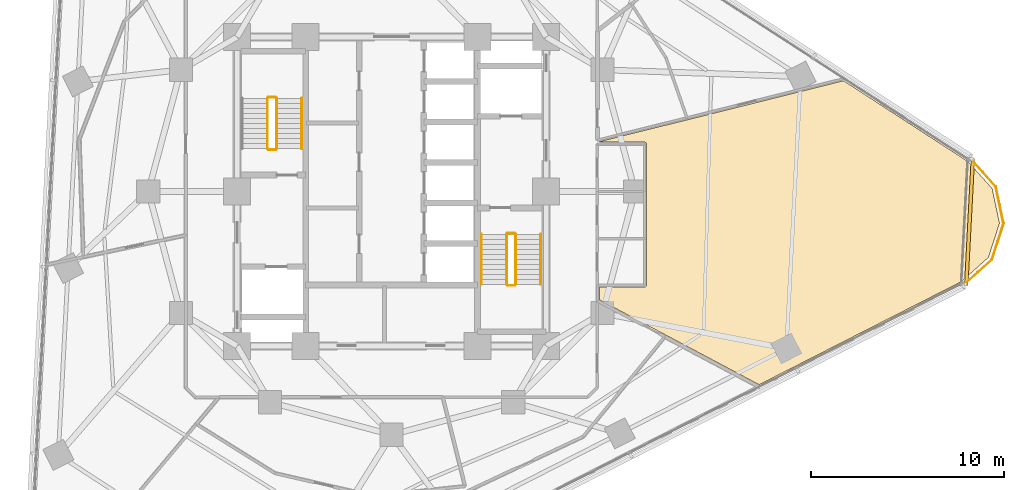
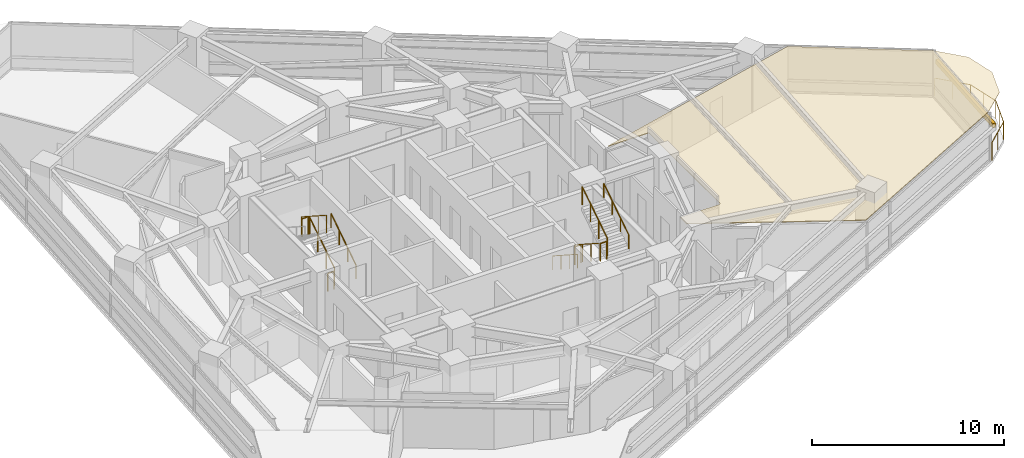
# One storey, part 13 of 14: 12 railings, 1 covering, 1 shading device.
"""IFC4 building model written with IfcOpenShell, lengths in metres."""

from ifc_helpers import new_model, si_unit, direction, frame, origin, origin_2d, place, context, subcontext, project, spatial, polyline, rectangle, circle, outline, extrude, material, layer, layer_set, type_object, element, save


model = new_model("IFC4")

# Units and contexts
model_context = context("Model", 3, precision=1e-05, world=origin(), true_north=direction((0.0, 1.0)))
body_context = subcontext(model_context, "Body", "Model", "MODEL_VIEW")
ifc_project = project(units=[si_unit("LENGTHUNIT", "METRE"), si_unit("AREAUNIT", "SQUARE_METRE"), si_unit("VOLUMEUNIT", "CUBIC_METRE"), si_unit("PLANEANGLEUNIT", "RADIAN"), si_unit("MASSUNIT", "GRAM", prefix="KILO")], contexts=[model_context])

# Site, building, storey
site_placement = place(None, origin())
site = spatial("IfcSite", under=ifc_project, at=site_placement, CompositionType="ELEMENT")
building_placement = place(site_placement, origin())
building = spatial("IfcBuilding", under=site, at=building_placement, Name="Terralouvre Media Tower", CompositionType="ELEMENT")
storey_placement = place(building_placement, frame((0.0, 0.0, 127.300048828125)))
storey = spatial("IfcBuildingStorey", under=building, at=storey_placement, Name="L32", CompositionType="ELEMENT", Elevation=127.300048828125)

# Covering
ifc_material_1 = material(Name="Perforated aluminium acoustic ceiling baffle", Category="aluminium")
ifc_layer_1 = layer(ifc_material_1, 0.0400390625, Name="Perforated Acoustic Metal Tile Ceiling CL-AC1")
ifc_layer_set_1 = layer_set([ifc_layer_1], Name="Perforated aluminium acoustic ceiling baffle")
covering_type = type_object("IfcCoveringType", Name="Perforated Acoustic Metal Tile Ceiling CL-AC1", PredefinedType="CEILING", material=ifc_layer_set_1)
covering_placement = place(storey_placement, frame((0.0, 0.0, 2.97998046875), z_axis=(0.0, 0.0, 1.0), x_axis=(0.891006524188, 0.45399049974, 0.0)))
element("IfcCovering", 1, at=covering_placement, inside=storey, type_object=covering_type, Name="L32 Event Planning Conference Room 6 Acoustic Ceiling", PredefinedType="CEILING", context=body_context, shape_type="SweptSolid", body=[
    extrude(outline(polyline([(10.748291015625, -2.58447265625), (10.736083984375, -2.6083984375), (12.829833984375, -3.67529296875), (12.83837890625, -3.68017578125), (12.846435546875, -3.685791015625), (12.853759765625, -3.692138671875), (12.860595703125, -3.699462890625), (12.866455078125, -3.70703125), (12.871826171875, -3.715576171875), (12.8759765625, -3.72412109375), (12.879638671875, -3.7333984375), (12.882080078125, -3.742919921875), (12.8837890625, -3.75244140625), (12.884521484375, -3.762451171875), (12.88427734375, -3.772216796875), (12.8828125, -3.781982421875), (12.880615234375, -3.79150390625), (12.877685546875, -3.80078125), (12.87353515625, -3.809814453125), (9.559326171875, -10.31396484375), (9.554443359375, -10.322509765625), (9.548828125, -10.33056640625), (9.54248046875, -10.337890625), (9.53515625, -10.3447265625), (9.527587890625, -10.3505859375), (9.51904296875, -10.35595703125), (9.510498046875, -10.3603515625), (9.501220703125, -10.36376953125), (9.49169921875, -10.3662109375), (9.482177734375, -10.367919921875), (9.47216796875, -10.36865234375), (9.46240234375, -10.368408203125), (9.45263671875, -10.3671875), (9.443115234375, -10.364990234375), (9.433837890625, -10.36181640625), (9.425048828125, -10.357666015625), (7.3310546875, -9.290771484375), (7.03466796875, -9.87255859375), (9.265380859375, -13.058349609375), (12.412109375, -17.552490234375), (24.1708984375, -17.55224609375), (25.986083984375, -17.06494140625), (27.29345703125, -15.758056640625), (27.7724609375, -13.972412109375), (27.28515625, -12.156982421875), (23.452392578125, -5.51708984375), (15.330810546875, -3.641845703125), (10.748291015625, -2.58447265625)])), origin(), (0.0, 0.0, 1.0), 0.0400390625),
])

# Railings
ifc_material_2 = material(Name="Stainless steel 316 handrail and balustrade", Category="steel")
ifc_layer_2 = layer(ifc_material_2, 0.06005859375, Name="Roof Edge Safety Guardrail GR-ROOF1")
ifc_layer_set_2 = layer_set([ifc_layer_2], Name="Stainless steel 316 handrail and balustrade")
railing_type_1 = type_object("IfcRailingType", Name="Roof Edge Safety Guardrail GR-ROOF1", PredefinedType="GUARDRAIL", material=ifc_layer_set_2)
railing_1_placement = place(storey_placement, frame((29.61572265625, -4.845947265625, 0.0)))
element("IfcRailing", 2, at=railing_1_placement, inside=storey, type_object=railing_type_1, Name="L32 Wind-Corner Perimeter Safety Guardrail C1", PredefinedType="GUARDRAIL", context=body_context, shape_type="SweptSolid", body=[
    extrude(circle(Radius=0.02099609375, at=origin_2d()), frame((0.0, 0.0, 1.12890625), z_axis=(0.743312666239, 0.668944153281, 0.0), x_axis=(-0.668944153281, 0.743312666239, 0.0)), (0.0, 0.0, 1.0), 1.96630859375),
    extrude(circle(Radius=0.02099609375, at=origin_2d()), frame((1.461669921875, 1.3154296875, 1.12890625), z_axis=(0.309178723202, 0.95100395221, 0.0), x_axis=(-0.95100395221, 0.309178723202, 0.0)), (0.0, 0.0, 1.0), 1.96630859375),
    extrude(circle(Radius=0.02099609375, at=origin_2d()), frame((2.069580078125, 3.185302734375, 1.12890625), z_axis=(-0.207968640809, 0.978135493907, 0.0), x_axis=(-0.978135493907, -0.207968640809, 0.0)), (0.0, 0.0, 1.0), 1.96630859375),
    extrude(circle(Radius=0.02099609375, at=origin_2d()), frame((1.66064453125, 5.108642578125, 1.12890625), z_axis=(-0.669335064293, 0.742960679786, 0.0), x_axis=(-0.742960679786, -0.669335064293, 0.0)), (0.0, 0.0, 1.0), 1.96630859375),
    extrude(circle(Radius=0.01904296875, at=origin_2d()), origin(), (0.0, 0.0, 1.0), 1.10791015625),
    extrude(circle(Radius=0.01904296875, at=origin_2d()), frame((0.73095703125, 0.65771484375, 0.0)), (0.0, 0.0, 1.0), 1.10791015625),
    extrude(circle(Radius=0.01904296875, at=origin_2d()), frame((1.461669921875, 1.3154296875, 0.0)), (0.0, 0.0, 1.0), 1.10791015625),
    extrude(circle(Radius=0.01904296875, at=origin_2d()), frame((1.765625, 2.25048828125, 0.0)), (0.0, 0.0, 1.0), 1.10791015625),
    extrude(circle(Radius=0.01904296875, at=origin_2d()), frame((2.069580078125, 3.185302734375, 0.0)), (0.0, 0.0, 1.0), 1.10791015625),
    extrude(circle(Radius=0.01904296875, at=origin_2d()), frame((1.865234375, 4.14697265625, 0.0)), (0.0, 0.0, 1.0), 1.10791015625),
    extrude(circle(Radius=0.01904296875, at=origin_2d()), frame((1.66064453125, 5.108642578125, 0.0)), (0.0, 0.0, 1.0), 1.10791015625),
    extrude(circle(Radius=0.01904296875, at=origin_2d()), frame((1.00244140625, 5.839111328125, 0.0)), (0.0, 0.0, 1.0), 1.10791015625),
    extrude(circle(Radius=0.01904296875, at=origin_2d()), frame((0.344482421875, 6.569580078125, 0.0)), (0.0, 0.0, 1.0), 1.10791015625),
])
ifc_material_3 = material(Name="Stainless steel 316 handrail and balustrade", Category="steel")
ifc_layer_3 = layer(ifc_material_3, 0.050048828125, Name="Stair Flight Wall Handrail HR-INT1")
ifc_layer_set_3 = layer_set([ifc_layer_3], Name="Stainless steel 316 handrail and balustrade")
railing_type_2 = type_object("IfcRailingType", Name="Stair Flight Wall Handrail HR-INT1", PredefinedType="HANDRAIL", material=ifc_layer_set_3)
railing_2_placement = place(storey_placement, frame((-4.64990234375, 2.219970703125, 0.168212890625)))
element("IfcRailing", 3, at=railing_2_placement, inside=storey, type_object=railing_type_2, Name="L32 ST-01 stair handrail 1", PredefinedType="HANDRAIL", context=body_context, shape_type="SweptSolid", body=[
    extrude(circle(Radius=0.02392578125, at=origin_2d()), frame((0.0, 0.0, 0.8759765625), z_axis=(0.0, 0.839684365666, 0.543074733399), x_axis=(-1.0, 0.0, 0.0)), (0.0, 0.0, 1.0), 3.096435546875),
    extrude(circle(Radius=0.02099609375, at=origin_2d()), origin(), (0.0, 0.0, 1.0), 0.851806640625),
    extrude(circle(Radius=0.02099609375, at=origin_2d()), frame((0.0, 0.86669921875, 0.560546875)), (0.0, 0.0, 1.0), 0.851806640625),
    extrude(circle(Radius=0.02099609375, at=origin_2d()), frame((0.0, 1.7333984375, 1.12109375)), (0.0, 0.0, 1.0), 0.851806640625),
    extrude(circle(Radius=0.02099609375, at=origin_2d()), frame((0.0, 2.60009765625, 1.681640625)), (0.0, 0.0, 1.0), 0.851806640625),
])
railing_3_placement = place(storey_placement, frame((4.64990234375, -2.219970703125, 0.168212890625)))
element("IfcRailing", 4, at=railing_3_placement, inside=storey, type_object=railing_type_2, Name="L32 ST-02 stair handrail 1", PredefinedType="HANDRAIL", context=body_context, shape_type="SweptSolid", body=[
    extrude(circle(Radius=0.02392578125, at=origin_2d()), frame((0.0, 0.0, 0.8759765625), z_axis=(0.0, -0.839684365666, 0.543074733399), x_axis=(1.0, 0.0, 0.0)), (0.0, 0.0, 1.0), 3.096435546875),
    extrude(circle(Radius=0.02099609375, at=origin_2d()), origin(), (0.0, 0.0, 1.0), 0.851806640625),
    extrude(circle(Radius=0.02099609375, at=origin_2d()), frame((0.0, -0.86669921875, 0.560546875)), (0.0, 0.0, 1.0), 0.851806640625),
    extrude(circle(Radius=0.02099609375, at=origin_2d()), frame((0.0, -1.7333984375, 1.12109375)), (0.0, 0.0, 1.0), 0.851806640625),
    extrude(circle(Radius=0.02099609375, at=origin_2d()), frame((0.0, -2.60009765625, 1.681640625)), (0.0, 0.0, 1.0), 0.851806640625),
])
railing_4_placement = place(storey_placement, frame((7.72998046875, -4.820068359375, 2.01806640625)))
element("IfcRailing", 5, at=railing_4_placement, inside=storey, type_object=railing_type_2, Name="L32 ST-02 stair handrail 2", PredefinedType="HANDRAIL", context=body_context, shape_type="SweptSolid", body=[
    extrude(circle(Radius=0.02392578125, at=origin_2d()), frame((0.0, 0.0, 0.8759765625), z_axis=(0.0, 0.839648411786, 0.543130320075), x_axis=(-1.0, 0.0, 0.0)), (0.0, 0.0, 1.0), 3.0966796875),
    extrude(circle(Radius=0.02099609375, at=origin_2d()), origin(), (0.0, 0.0, 1.0), 0.851806640625),
    extrude(circle(Radius=0.02099609375, at=origin_2d()), frame((0.0, 0.86669921875, 0.560546875)), (0.0, 0.0, 1.0), 0.851806640625),
    extrude(circle(Radius=0.02099609375, at=origin_2d()), frame((0.0, 1.7333984375, 1.121337890625)), (0.0, 0.0, 1.0), 0.851806640625),
    extrude(circle(Radius=0.02099609375, at=origin_2d()), frame((0.0, 2.60009765625, 1.681884765625)), (0.0, 0.0, 1.0), 0.851806640625),
])
ifc_material_4 = material(Name="Stainless steel 316 handrail and balustrade", Category="steel")
ifc_layer_4 = layer(ifc_material_4, 0.050048828125, Name="Stairwell Safety Guardrail GR-INT1")
ifc_layer_set_4 = layer_set([ifc_layer_4], Name="Stainless steel 316 handrail and balustrade")
railing_type_3 = type_object("IfcRailingType", Name="Stairwell Safety Guardrail GR-INT1", PredefinedType="GUARDRAIL", material=ifc_layer_set_4)
railing_5_placement = place(storey_placement, frame((-5.949951171875, 2.219970703125, 0.168212890625)))
element("IfcRailing", 6, at=railing_5_placement, inside=storey, type_object=railing_type_3, Name="L32 ST-01 stair guard 1", PredefinedType="GUARDRAIL", context=body_context, shape_type="SweptSolid", body=[
    extrude(circle(Radius=0.02392578125, at=origin_2d()), frame((0.0, 0.0, 1.1259765625), z_axis=(0.0, 0.839684365666, 0.543074733399), x_axis=(-1.0, 0.0, 0.0)), (0.0, 0.0, 1.0), 3.096435546875),
    extrude(circle(Radius=0.02099609375, at=origin_2d()), origin(), (0.0, 0.0, 1.0), 1.101806640625),
    extrude(circle(Radius=0.02099609375, at=origin_2d()), frame((0.0, 0.86669921875, 0.560546875)), (0.0, 0.0, 1.0), 1.101806640625),
    extrude(circle(Radius=0.02099609375, at=origin_2d()), frame((0.0, 1.7333984375, 1.12109375)), (0.0, 0.0, 1.0), 1.101806640625),
    extrude(circle(Radius=0.02099609375, at=origin_2d()), frame((0.0, 2.60009765625, 1.681640625)), (0.0, 0.0, 1.0), 1.101806640625),
])
railing_6_placement = place(storey_placement, frame((-6.0, 4.8701171875, 1.849853515625)))
element("IfcRailing", 7, at=railing_6_placement, inside=storey, type_object=railing_type_3, Name="L32 ST-01 stair guard 2", PredefinedType="GUARDRAIL", context=body_context, shape_type="SweptSolid", body=[
    extrude(circle(Radius=0.02392578125, at=origin_2d()), frame((0.0, 0.0, 1.1259765625), z_axis=(-1.0, 0.0, 0.0), x_axis=(0.0, -1.0, 0.0)), (0.0, 0.0, 1.0), 0.3798828125),
    extrude(circle(Radius=0.02099609375, at=origin_2d()), origin(), (0.0, 0.0, 1.0), 1.101806640625),
    extrude(circle(Radius=0.02099609375, at=origin_2d()), frame((-0.3798828125, 0.0, 0.0)), (0.0, 0.0, 1.0), 1.101806640625),
])
railing_7_placement = place(storey_placement, frame((-6.429931640625, 4.820068359375, 2.01806640625)))
element("IfcRailing", 8, at=railing_7_placement, inside=storey, type_object=railing_type_3, Name="L32 ST-01 stair guard 3", PredefinedType="GUARDRAIL", context=body_context, shape_type="SweptSolid", body=[
    extrude(circle(Radius=0.02392578125, at=origin_2d()), frame((0.0, 0.0, 1.1259765625), z_axis=(0.0, -0.839648411786, 0.543130320075), x_axis=(1.0, 0.0, 0.0)), (0.0, 0.0, 1.0), 3.0966796875),
    extrude(circle(Radius=0.02099609375, at=origin_2d()), origin(), (0.0, 0.0, 1.0), 1.101806640625),
    extrude(circle(Radius=0.02099609375, at=origin_2d()), frame((0.0, -0.86669921875, 0.560546875)), (0.0, 0.0, 1.0), 1.101806640625),
    extrude(circle(Radius=0.02099609375, at=origin_2d()), frame((0.0, -1.7333984375, 1.121337890625)), (0.0, 0.0, 1.0), 1.101806640625),
    extrude(circle(Radius=0.02099609375, at=origin_2d()), frame((0.0, -2.60009765625, 1.681884765625)), (0.0, 0.0, 1.0), 1.101806640625),
])
railing_8_placement = place(storey_placement, frame((-6.0, 2.169921875, 0.0)))
element("IfcRailing", 9, at=railing_8_placement, inside=storey, type_object=railing_type_3, Name="L32 ST-01 stair guard 4", PredefinedType="GUARDRAIL", context=body_context, shape_type="SweptSolid", body=[
    extrude(circle(Radius=0.02392578125, at=origin_2d()), frame((0.0, 0.0, 1.1259765625), z_axis=(-1.0, 0.0, 0.0), x_axis=(0.0, -1.0, 0.0)), (0.0, 0.0, 1.0), 0.3798828125),
    extrude(circle(Radius=0.02099609375, at=origin_2d()), origin(), (0.0, 0.0, 1.0), 1.101806640625),
    extrude(circle(Radius=0.02099609375, at=origin_2d()), frame((-0.3798828125, 0.0, 0.0)), (0.0, 0.0, 1.0), 1.101806640625),
])
railing_9_placement = place(storey_placement, frame((5.949951171875, -2.219970703125, 0.168212890625)))
element("IfcRailing", 10, at=railing_9_placement, inside=storey, type_object=railing_type_3, Name="L32 ST-02 stair guard 1", PredefinedType="GUARDRAIL", context=body_context, shape_type="SweptSolid", body=[
    extrude(circle(Radius=0.02392578125, at=origin_2d()), frame((0.0, 0.0, 1.1259765625), z_axis=(0.0, -0.839684365666, 0.543074733399), x_axis=(1.0, 0.0, 0.0)), (0.0, 0.0, 1.0), 3.096435546875),
    extrude(circle(Radius=0.02099609375, at=origin_2d()), origin(), (0.0, 0.0, 1.0), 1.101806640625),
    extrude(circle(Radius=0.02099609375, at=origin_2d()), frame((0.0, -0.86669921875, 0.560546875)), (0.0, 0.0, 1.0), 1.101806640625),
    extrude(circle(Radius=0.02099609375, at=origin_2d()), frame((0.0, -1.7333984375, 1.12109375)), (0.0, 0.0, 1.0), 1.101806640625),
    extrude(circle(Radius=0.02099609375, at=origin_2d()), frame((0.0, -2.60009765625, 1.681640625)), (0.0, 0.0, 1.0), 1.101806640625),
])
railing_10_placement = place(storey_placement, frame((6.0, -4.8701171875, 1.849853515625)))
element("IfcRailing", 11, at=railing_10_placement, inside=storey, type_object=railing_type_3, Name="L32 ST-02 stair guard 2", PredefinedType="GUARDRAIL", context=body_context, shape_type="SweptSolid", body=[
    extrude(circle(Radius=0.02392578125, at=origin_2d()), frame((0.0, 0.0, 1.1259765625), z_axis=(1.0, 0.0, 0.0), x_axis=(0.0, 1.0, 0.0)), (0.0, 0.0, 1.0), 0.3798828125),
    extrude(circle(Radius=0.02099609375, at=origin_2d()), origin(), (0.0, 0.0, 1.0), 1.101806640625),
    extrude(circle(Radius=0.02099609375, at=origin_2d()), frame((0.3798828125, 0.0, 0.0)), (0.0, 0.0, 1.0), 1.101806640625),
])
railing_11_placement = place(storey_placement, frame((6.429931640625, -4.820068359375, 2.01806640625)))
element("IfcRailing", 12, at=railing_11_placement, inside=storey, type_object=railing_type_3, Name="L32 ST-02 stair guard 3", PredefinedType="GUARDRAIL", context=body_context, shape_type="SweptSolid", body=[
    extrude(circle(Radius=0.02392578125, at=origin_2d()), frame((0.0, 0.0, 1.1259765625), z_axis=(0.0, 0.839648411786, 0.543130320075), x_axis=(-1.0, 0.0, 0.0)), (0.0, 0.0, 1.0), 3.0966796875),
    extrude(circle(Radius=0.02099609375, at=origin_2d()), origin(), (0.0, 0.0, 1.0), 1.101806640625),
    extrude(circle(Radius=0.02099609375, at=origin_2d()), frame((0.0, 0.86669921875, 0.560546875)), (0.0, 0.0, 1.0), 1.101806640625),
    extrude(circle(Radius=0.02099609375, at=origin_2d()), frame((0.0, 1.7333984375, 1.121337890625)), (0.0, 0.0, 1.0), 1.101806640625),
    extrude(circle(Radius=0.02099609375, at=origin_2d()), frame((0.0, 2.60009765625, 1.681884765625)), (0.0, 0.0, 1.0), 1.101806640625),
])
railing_12_placement = place(storey_placement, frame((6.0, -2.169921875, 0.0)))
element("IfcRailing", 13, at=railing_12_placement, inside=storey, type_object=railing_type_3, Name="L32 ST-02 stair guard 4", PredefinedType="GUARDRAIL", context=body_context, shape_type="SweptSolid", body=[
    extrude(circle(Radius=0.02392578125, at=origin_2d()), frame((0.0, 0.0, 1.1259765625), z_axis=(1.0, 0.0, 0.0), x_axis=(0.0, 1.0, 0.0)), (0.0, 0.0, 1.0), 0.3798828125),
    extrude(circle(Radius=0.02099609375, at=origin_2d()), origin(), (0.0, 0.0, 1.0), 1.101806640625),
    extrude(circle(Radius=0.02099609375, at=origin_2d()), frame((0.3798828125, 0.0, 0.0)), (0.0, 0.0, 1.0), 1.101806640625),
])

# Shading device
ifc_material_5 = material(Name="Extruded terracotta baguette sunshade louvres", Category="masonry")
shading_device_type = type_object("IfcShadingDeviceType", Name="Terracotta Baguette Sunshade Louvre Screen TB-LV1", PredefinedType="USERDEFINED", material=ifc_material_5)
shading_device_placement = place(storey_placement, frame((29.922607421875, -1.568115234375, 2.02392578125), z_axis=(0.0, 0.0, 1.0), x_axis=(0.052336823006, 0.998629489329, 0.0)))
element("IfcShadingDevice", 14, at=shading_device_placement, inside=storey, type_object=shading_device_type, Name="CW-L32-C1 Terracotta Baguette Sunshade Louvre", ObjectType="BAGUETTE", PredefinedType="USERDEFINED", context=body_context, shape_type="SweptSolid", body=[
    extrude(rectangle(XDim=6.581787109375, YDim=0.179931640625, at=origin_2d()), origin(), (0.0, 0.0, 1.0), 0.280029296875),
])

save(model, "model.ifc")
